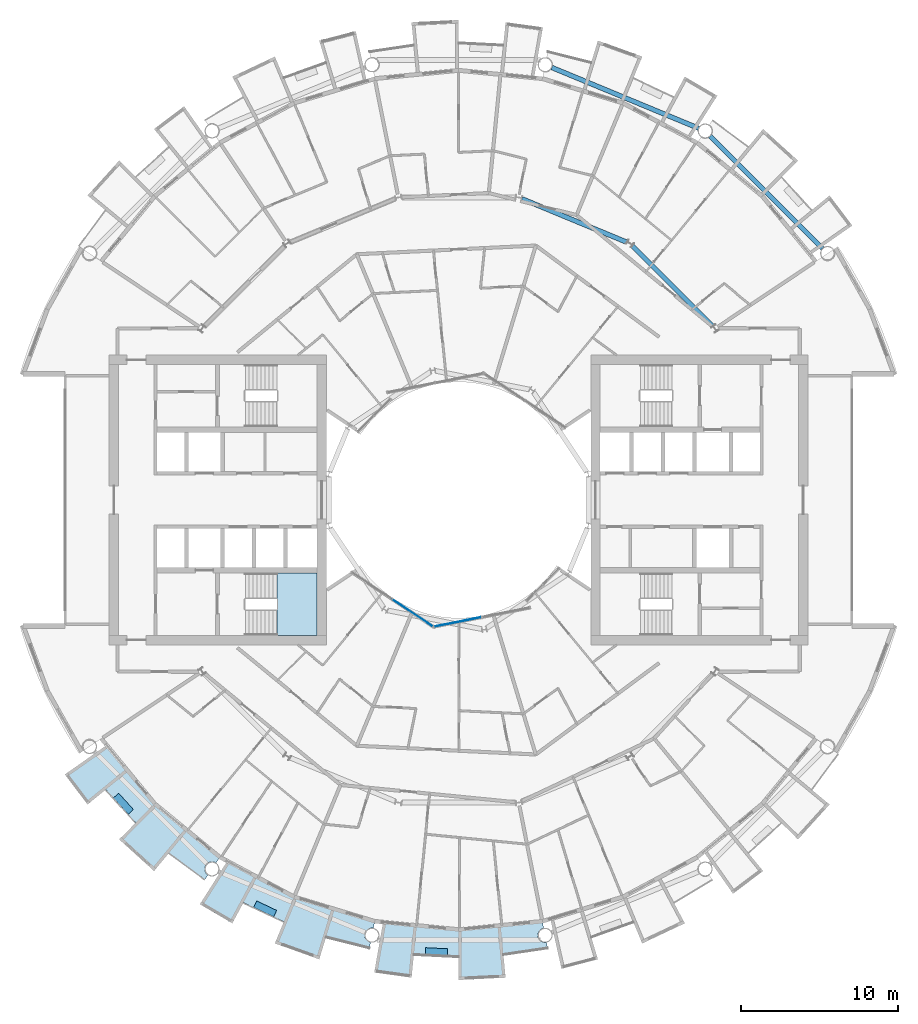
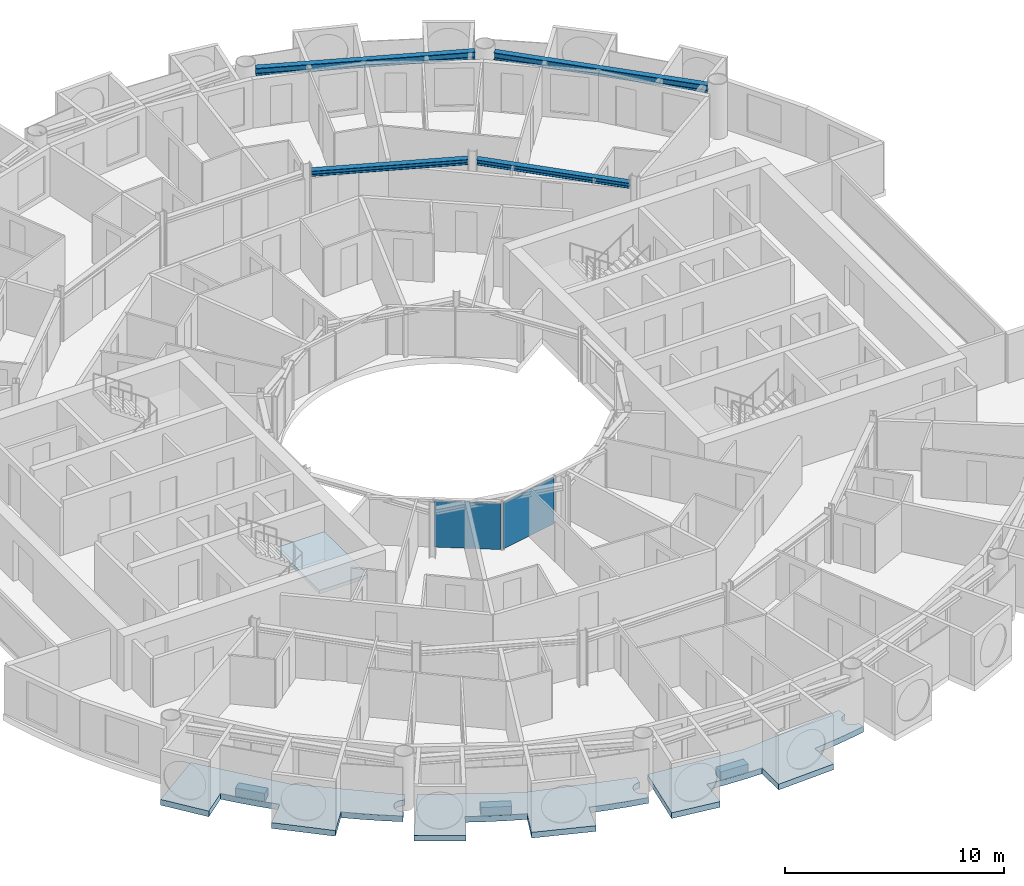
# One storey, part 10 of 27: 7 slabs, 4 beams, 2 plates, 3 elements without a shape of their own.
"""IFC4 building model written with IfcOpenShell, lengths in metres."""

from ifc_helpers import new_model, si_unit, direction, frame, origin, origin_2d, place, context, subcontext, project, spatial, polyline, rectangle, i_section, outline, extrude, material, layer, layer_set, material_profile, profile_set, type_object, element, aggregate, save


model = new_model("IFC4")

# Units and contexts
model_context = context("Model", 3, precision=1e-05, world=origin(), true_north=direction((0.0, 1.0)))
body_context = subcontext(model_context, "Body", "Model", "MODEL_VIEW")
ifc_project = project(units=[si_unit("LENGTHUNIT", "METRE"), si_unit("AREAUNIT", "SQUARE_METRE"), si_unit("VOLUMEUNIT", "CUBIC_METRE"), si_unit("PLANEANGLEUNIT", "RADIAN"), si_unit("MASSUNIT", "GRAM", prefix="KILO")], contexts=[model_context])

# Site, building, storey
site_placement = place(None, origin())
site = spatial("IfcSite", under=ifc_project, at=site_placement, CompositionType="ELEMENT")
building_placement = place(site_placement, origin())
building = spatial("IfcBuilding", under=site, at=building_placement, Name="Maasbend Ring Residences", CompositionType="ELEMENT")
storey_placement = place(building_placement, frame((0.0, 0.0, 114.699951171875)))
storey = spatial("IfcBuildingStorey", under=building, at=storey_placement, Name="L32", CompositionType="ELEMENT", Elevation=114.699951171875)

# Beams
ifc_material_1 = material(Name="Steel S355J2", Category="steel")
ifc_material_profile_1 = material_profile(ifc_material_1, i_section(OverallWidth=0.300048828125, OverallDepth=0.2900390625, WebThickness=0.008544921875, FlangeThickness=0.013916015625, FilletRadius=0.027099609375, at=origin_2d()), Name="HEA 300")
ifc_profile_set_1 = profile_set([ifc_material_profile_1], Name="Steel S355J2")
beam_type_1 = type_object("IfcBeamType", Name="Corridor ring beam HEA 300", PredefinedType="BEAM", material=ifc_profile_set_1)
for number, where, z_axis, x_axis, name in (
    (1, (16.14111328125, 11.044921875, 2.554931640625), (-0.707106781187, 0.707106781187, 0.0), (-0.707106781187, -0.707106781187, 0.0), "Corridor ring beam"),
    (2, (10.685791015625, 16.381103515625, 2.554931640625), (-0.923877693919, 0.382687871089, 0.0), (-0.382687871089, -0.923877693919, 0.0), "Corridor ring beam"),
):
    element("IfcBeam", number, at=place(storey_placement, frame(where, z_axis=z_axis, x_axis=x_axis)), inside=storey, type_object=beam_type_1, Name=name, PredefinedType="BEAM", context=body_context, shape_type="SweptSolid", body=[
        extrude(i_section(OverallWidth=0.300048828125, OverallDepth=0.2900390625, WebThickness=0.008544921875, FlangeThickness=0.013916015625, FilletRadius=0.027099609375, at=origin_2d()), origin(), (0.0, 0.0, 1.0), 7.20703125),
    ])
ifc_material_2 = material(Name="Steel S355J2", Category="steel")
ifc_material_profile_2 = material_profile(ifc_material_2, i_section(OverallWidth=0.300048828125, OverallDepth=0.39990234375, WebThickness=0.013427734375, FlangeThickness=0.02392578125, FilletRadius=0.027099609375, at=origin_2d()), Name="HEB 400")
ifc_profile_set_2 = profile_set([ifc_material_profile_2], Name="Steel S355J2")
beam_type_2 = type_object("IfcBeamType", Name="Spandrel ring beam HEB 400", PredefinedType="SPANDREL", material=ifc_profile_set_2)
for number, where, z_axis, x_axis, name in (
    (3, (23.124267578125, 15.990234375, 2.5), (-0.707106781187, 0.707106781187, 0.0), (-0.707106781187, -0.707106781187, 0.0), "Spandrel ring beam"),
    (4, (15.244873046875, 23.622314453125, 2.5), (-0.92388529709, 0.382669515144, 0.0), (-0.382669515144, -0.92388529709, 0.0), "Spandrel ring beam"),
):
    element("IfcBeam", number, at=place(storey_placement, frame(where, z_axis=z_axis, x_axis=x_axis)), inside=storey, type_object=beam_type_2, Name=name, PredefinedType="SPANDREL", context=body_context, shape_type="SweptSolid", body=[
        extrude(i_section(OverallWidth=0.300048828125, OverallDepth=0.39990234375, WebThickness=0.013427734375, FlangeThickness=0.02392578125, FilletRadius=0.027099609375, at=origin_2d()), origin(), (0.0, 0.0, 1.0), 10.089111328125),
    ])

# Stair, slab
ifc_material_3 = material(Name="Concrete C40/50", Category="concrete")
stair_type = type_object("IfcStairType", Name="CORE STAIR 18 RISERS", PredefinedType="HALF_TURN_STAIR", material=ifc_material_3)
stair_placement = place(storey_placement, origin())
stair = element("IfcStair", 5, at=stair_placement, inside=storey, type_object=stair_type, Name="L32 Exit stair ST-W1", PredefinedType="HALF_TURN_STAIR")
ifc_material_4 = material(Name="Concrete C40/50", Category="concrete")
ifc_layer_1 = layer(ifc_material_4, 0.199951171875)
ifc_layer_set_1 = layer_set([ifc_layer_1], Name="Concrete C40/50")
slab_type_1 = type_object("IfcSlabType", Name="CORE STAIR LANDING 200", PredefinedType="LANDING", material=ifc_layer_set_1)
slab_1_placement = place(storey_placement, frame((0.0, 0.0, 1.324951171875)))
slab_1 = element("IfcSlab", 6, at=slab_1_placement, type_object=slab_type_1, Name="ST-W1 landing 1", PredefinedType="LANDING", context=body_context, shape_type="SweptSolid", body=[
    extrude(outline(polyline([(-11.550048828125, -8.60009765625), (-9.0, -8.60009765625), (-9.0, -4.64990234375), (-11.550048828125, -4.64990234375), (-11.550048828125, -8.60009765625)])), origin(), (0.0, 0.0, 1.0), 0.2001953125),
])
aggregate(stair, [slab_1])

# Curtain wall, plate
ifc_material_5 = material(Name="Aluminium and clear glass", Category="aluminium")
ifc_layer_2 = layer(ifc_material_5, 0.179931640625)
ifc_layer_set_2 = layer_set([ifc_layer_2], Name="CW-W")
curtain_wall_type = type_object("IfcCurtainWallType", Name="CW-W", PredefinedType="NOTDEFINED", material=ifc_layer_set_2)
curtain_wall_1_placement = place(storey_placement, origin())
curtain_wall_1 = element("IfcCurtainWall", 7, at=curtain_wall_1_placement, inside=storey, type_object=curtain_wall_type, Name="Well curtain wall S1", PredefinedType="NOTDEFINED")
ifc_material_6 = material(Name="Glass clear laminated", Category="glass")
ifc_layer_3 = layer(ifc_material_6, 0.031982421875)
ifc_layer_set_3 = layer_set([ifc_layer_3], Name="CWP-W")
plate_type = type_object("IfcPlateType", Name="CWP-W", PredefinedType="CURTAIN_PANEL", material=ifc_layer_set_3)
plate_1_placement = place(storey_placement, frame((-2.922119140625, -7.17578125, 0.0), z_axis=(0.0, 0.0, 1.0), x_axis=(0.831469612303, -0.55557023302, 0.0)))
plate_1 = element("IfcPlate", 8, at=plate_1_placement, type_object=plate_type, Name="Glass panel well face", PredefinedType="CURTAIN_PANEL", context=body_context, shape_type="SweptSolid", body=[
    extrude(rectangle(XDim=3.053955078125, YDim=0.031982421875, at=origin_2d()), origin(), (0.0, 0.0, 1.0), 2.580078125),
])
aggregate(curtain_wall_1, [plate_1])

curtain_wall_2_placement = place(storey_placement, origin())
curtain_wall_2 = element("IfcCurtainWall", 9, at=curtain_wall_2_placement, inside=storey, type_object=curtain_wall_type, Name="Well curtain wall S2", PredefinedType="NOTDEFINED")
plate_2_placement = place(storey_placement, frame((-0.04638671875, -7.747802734375, 0.0), z_axis=(0.0, 0.0, 1.0), x_axis=(0.980785280403, 0.195090322016, 0.0)))
plate_2 = element("IfcPlate", 10, at=plate_2_placement, type_object=plate_type, Name="Glass panel well face", PredefinedType="CURTAIN_PANEL", context=body_context, shape_type="SweptSolid", body=[
    extrude(rectangle(XDim=3.053955078125, YDim=0.031982421875, at=origin_2d()), origin(), (0.0, 0.0, 1.0), 2.580078125),
])
aggregate(curtain_wall_2, [plate_2])

# Slabs
ifc_material_7 = material(Name="Planting with climbing greenery")
ifc_layer_4 = layer(ifc_material_7, 0.449951171875)
ifc_layer_set_4 = layer_set([ifc_layer_4], Name="PLANTER-LG")
slab_type_2 = type_object("IfcSlabType", Name="PLANTER-LG", PredefinedType="USERDEFINED", material=ifc_layer_set_4)
slab_2_placement = place(storey_placement, frame((0.0, 0.0, -0.030029296875)))
element("IfcSlab", 11, at=slab_2_placement, inside=storey, type_object=slab_type_2, Name="Planter with climbing greenery 1", ObjectType="PLANTER", PredefinedType="USERDEFINED", context=body_context, shape_type="SweptSolid", body=[
    extrude(outline(polyline([(-21.931884765625, -18.93310546875), (-20.991943359375, -19.969970703125), (-20.657958984375, -19.66796875), (-21.597900390625, -18.631103515625), (-21.931884765625, -18.93310546875)])), origin(), (0.0, 0.0, 1.0), 0.4501953125),
])
slab_3_placement = place(storey_placement, frame((0.0, 0.0, -0.030029296875)))
element("IfcSlab", 12, at=slab_3_placement, inside=storey, type_object=slab_type_2, Name="Planter with climbing greenery 2", ObjectType="PLANTER", PredefinedType="USERDEFINED", context=body_context, shape_type="SweptSolid", body=[
    extrude(outline(polyline([(-13.01708984375, -25.885009765625), (-11.7509765625, -26.48291015625), (-11.55908203125, -26.076904296875), (-12.824951171875, -25.47802734375), (-13.01708984375, -25.885009765625)])), origin(), (0.0, 0.0, 1.0), 0.4501953125),
])
slab_4_placement = place(storey_placement, frame((0.0, 0.0, -0.030029296875)))
element("IfcSlab", 13, at=slab_4_placement, inside=storey, type_object=slab_type_2, Name="Planter with climbing greenery 3", ObjectType="PLANTER", PredefinedType="USERDEFINED", context=body_context, shape_type="SweptSolid", body=[
    extrude(outline(polyline([(-2.1201171875, -28.89599609375), (-0.721923828125, -28.965087890625), (-0.699951171875, -28.514892578125), (-2.097900390625, -28.446044921875), (-2.1201171875, -28.89599609375)])), origin(), (0.0, 0.0, 1.0), 0.4501953125),
])
ifc_material_8 = material(Name="Concrete C40/50", Category="concrete")
ifc_layer_5 = layer(ifc_material_8, 0.199951171875)
ifc_layer_set_5 = layer_set([ifc_layer_5], Name="Concrete C40/50")
slab_type_3 = type_object("IfcSlabType", Name="SL-LOGGIA", PredefinedType="FLOOR", material=ifc_layer_set_5)
slab_5_placement = place(storey_placement, frame((0.0, 0.0, -0.349853515625)))
element("IfcSlab", 14, at=slab_5_placement, inside=storey, type_object=slab_type_3, Name="Loggia floor 2", PredefinedType="FLOOR", context=body_context, shape_type="SweptSolid", body=[
    extrude(outline(polyline([(-12.806884765625, -23.9609375), (-10.447021484375, -25.221923828125), (-10.447021484375, -25.221923828125), (-10.447021484375, -25.221923828125), (-7.886962890625, -25.9990234375), (-5.325927734375, -26.77490234375), (-5.325927734375, -26.77490234375), (-5.325927734375, -26.77490234375), (-5.412109375, -27.2099609375), (-5.423095703125, -27.2080078125), (-5.43408203125, -27.2060546875), (-5.446044921875, -27.205078125), (-5.45703125, -27.202880859375), (-5.468017578125, -27.201904296875), (-5.47900390625, -27.201904296875), (-5.489990234375, -27.200927734375), (-5.501953125, -27.200927734375), (-5.512939453125, -27.200927734375), (-5.52392578125, -27.201904296875), (-5.534912109375, -27.201904296875), (-5.5458984375, -27.202880859375), (-5.556884765625, -27.205078125), (-5.569091796875, -27.2060546875), (-5.580078125, -27.2080078125), (-5.591064453125, -27.2099609375), (-5.60205078125, -27.2119140625), (-5.613037109375, -27.215087890625), (-5.623046875, -27.218017578125), (-5.634033203125, -27.220947265625), (-5.64501953125, -27.22412109375), (-5.655029296875, -27.22802734375), (-5.666015625, -27.23193359375), (-5.676025390625, -27.236083984375), (-5.68701171875, -27.239990234375), (-5.697021484375, -27.2451171875), (-5.70703125, -27.25), (-5.717041015625, -27.2548828125), (-5.72705078125, -27.260009765625), (-5.736083984375, -27.26611328125), (-5.74609375, -27.27197265625), (-5.7548828125, -27.278076171875), (-5.764892578125, -27.283935546875), (-5.77392578125, -27.291015625), (-5.782958984375, -27.298095703125), (-5.791015625, -27.304931640625), (-5.800048828125, -27.31201171875), (-5.80810546875, -27.319091796875), (-5.81689453125, -27.326904296875), (-5.824951171875, -27.3349609375), (-5.83203125, -27.343017578125), (-5.840087890625, -27.35107421875), (-5.847900390625, -27.360107421875), (-5.85498046875, -27.367919921875), (-5.862060546875, -27.376953125), (-5.868896484375, -27.385986328125), (-5.875, -27.39501953125), (-5.881103515625, -27.404052734375), (-5.887939453125, -27.4140625), (-5.89306640625, -27.423095703125), (-5.89892578125, -27.43310546875), (-5.905029296875, -27.443115234375), (-5.909912109375, -27.452880859375), (-5.9150390625, -27.462890625), (-5.9189453125, -27.472900390625), (-5.924072265625, -27.48291015625), (-5.927978515625, -27.493896484375), (-5.931884765625, -27.50390625), (-5.93505859375, -27.514892578125), (-5.93896484375, -27.52490234375), (-5.94189453125, -27.535888671875), (-5.945068359375, -27.547119140625), (-5.947021484375, -27.55810546875), (-5.949951171875, -27.569091796875), (-5.951904296875, -27.580078125), (-5.9541015625, -27.591064453125), (-5.955078125, -27.60205078125), (-5.9560546875, -27.613037109375), (-5.95703125, -27.6240234375), (-5.9580078125, -27.635986328125), (-5.9580078125, -27.64697265625), (-5.9580078125, -27.657958984375), (-5.9580078125, -27.6689453125), (-5.9580078125, -27.680908203125), (-5.95703125, -27.69189453125), (-5.9560546875, -27.702880859375), (-5.955078125, -27.714111328125), (-5.9541015625, -27.72509765625), (-5.951904296875, -27.736083984375), (-5.949951171875, -27.7470703125), (-5.947021484375, -27.758056640625), (-5.945068359375, -27.76904296875), (-5.94189453125, -27.780029296875), (-5.93896484375, -27.791015625), (-5.93505859375, -27.801025390625), (-5.931884765625, -27.81201171875), (-5.927978515625, -27.822998046875), (-5.924072265625, -27.8330078125), (-5.9189453125, -27.843017578125), (-5.9150390625, -27.85302734375), (-5.909912109375, -27.864013671875), (-5.905029296875, -27.8740234375), (-5.89892578125, -27.883056640625), (-5.89306640625, -27.89306640625), (-5.887939453125, -27.903076171875), (-5.881103515625, -27.912109375), (-5.875, -27.9208984375), (-5.868896484375, -27.929931640625), (-5.862060546875, -27.93896484375), (-5.85498046875, -27.947998046875), (-5.847900390625, -27.95703125), (-5.840087890625, -27.965087890625), (-5.83203125, -27.972900390625), (-5.824951171875, -27.98095703125), (-5.81689453125, -27.989013671875), (-5.80810546875, -27.9970703125), (-5.800048828125, -28.00390625), (-5.791015625, -28.010986328125), (-5.782958984375, -28.01806640625), (-5.77392578125, -28.02490234375), (-5.764892578125, -28.031982421875), (-5.7548828125, -28.0380859375), (-5.74609375, -28.0439453125), (-5.736083984375, -28.050048828125), (-5.72705078125, -28.055908203125), (-5.717041015625, -28.06103515625), (-5.70703125, -28.06591796875), (-5.697021484375, -28.071044921875), (-5.68701171875, -28.075927734375), (-5.676025390625, -28.080078125), (-5.666015625, -28.083984375), (-5.655029296875, -28.087890625), (-5.64501953125, -28.092041015625), (-5.634033203125, -28.094970703125), (-5.623046875, -28.09912109375), (-5.613037109375, -28.10107421875), (-5.60205078125, -28.10400390625), (-5.591064453125, -28.10595703125), (-5.657958984375, -28.443115234375), (-5.657958984375, -28.443115234375), (-5.657958984375, -28.443115234375), (-6.5849609375, -28.241943359375), (-6.5849609375, -28.241943359375), (-7.506103515625, -28.011962890625), (-7.506103515625, -28.011962890625), (-8.41796875, -27.7509765625), (-8.41796875, -27.7509765625), (-8.41796875, -27.7509765625), (-8.41796875, -27.7509765625), (-8.41796875, -27.7509765625), (-8.41796875, -27.7509765625), (-8.41796875, -27.7509765625), (-8.41796875, -27.7509765625), (-8.41796875, -27.7509765625), (-8.41796875, -27.7509765625), (-8.41796875, -27.751953125), (-8.41796875, -27.751953125), (-8.41796875, -27.751953125), (-8.41796875, -27.751953125), (-8.41796875, -27.751953125), (-8.41796875, -27.751953125), (-8.41796875, -27.751953125), (-8.85400390625, -29.18701171875), (-8.85400390625, -29.18701171875), (-8.85400390625, -29.18701171875), (-11.672119140625, -28.177978515625), (-11.672119140625, -28.177978515625), (-11.672119140625, -28.177978515625), (-11.097900390625, -26.79296875), (-11.097900390625, -26.79296875), (-11.097900390625, -26.79296875), (-11.097900390625, -26.79296875), (-11.097900390625, -26.79296875), (-11.097900390625, -26.79296875), (-11.097900390625, -26.79296875), (-11.097900390625, -26.79296875), (-11.097900390625, -26.79296875), (-11.097900390625, -26.79296875), (-11.097900390625, -26.7919921875), (-11.097900390625, -26.7919921875), (-11.097900390625, -26.7919921875), (-11.097900390625, -26.7919921875), (-11.097900390625, -26.7919921875), (-11.097900390625, -26.7919921875), (-11.097900390625, -26.7919921875), (-11.968994140625, -26.4150390625), (-11.968994140625, -26.4150390625), (-12.825927734375, -26.009033203125), (-12.825927734375, -26.009033203125), (-13.669921875, -25.575927734375), (-13.669921875, -25.575927734375), (-13.669921875, -25.575927734375), (-13.669921875, -25.575927734375), (-13.669921875, -25.575927734375), (-13.669921875, -25.575927734375), (-13.669921875, -25.575927734375), (-13.669921875, -25.575927734375), (-13.669921875, -25.575927734375), (-13.669921875, -25.575927734375), (-13.6708984375, -25.575927734375), (-13.6708984375, -25.575927734375), (-13.6708984375, -25.575927734375), (-13.6708984375, -25.575927734375), (-13.6708984375, -25.575927734375), (-13.6708984375, -25.575927734375), (-13.6708984375, -25.575927734375), (-14.3779296875, -26.89892578125), (-14.3779296875, -26.89892578125), (-14.3779296875, -26.89892578125), (-16.44091796875, -25.68994140625), (-16.44091796875, -25.68994140625), (-16.44091796875, -25.68994140625), (-14.68994140625, -22.9541015625), (-14.68994140625, -22.9541015625), (-14.68994140625, -22.9541015625), (-12.806884765625, -23.9609375)])), origin(), (0.0, 0.0, 1.0), 0.31982421875),
])
slab_6_placement = place(storey_placement, frame((0.0, 0.0, -0.349853515625)))
element("IfcSlab", 15, at=slab_6_placement, inside=storey, type_object=slab_type_3, Name="Loggia floor 3", PredefinedType="FLOOR", context=body_context, shape_type="SweptSolid", body=[
    extrude(outline(polyline([(-2.6630859375, -27.0380859375), (0.0, -27.300048828125), (0.0, -27.300048828125), (0.0, -27.300048828125), (2.6630859375, -27.0380859375), (5.325927734375, -26.77490234375), (5.325927734375, -26.77490234375), (5.325927734375, -26.77490234375), (5.412109375, -27.2099609375), (5.412109375, -27.2099609375), (5.40087890625, -27.2119140625), (5.389892578125, -27.215087890625), (5.3798828125, -27.218017578125), (5.368896484375, -27.220947265625), (5.35791015625, -27.22412109375), (5.347900390625, -27.22802734375), (5.3369140625, -27.23193359375), (5.326904296875, -27.236083984375), (5.31591796875, -27.239990234375), (5.305908203125, -27.2451171875), (5.2958984375, -27.25), (5.285888671875, -27.2548828125), (5.27587890625, -27.260009765625), (5.26708984375, -27.26611328125), (5.257080078125, -27.27197265625), (5.248046875, -27.278076171875), (5.238037109375, -27.283935546875), (5.22900390625, -27.291015625), (5.219970703125, -27.298095703125), (5.2119140625, -27.304931640625), (5.202880859375, -27.31201171875), (5.195068359375, -27.319091796875), (5.18603515625, -27.326904296875), (5.177978515625, -27.3349609375), (5.1708984375, -27.343017578125), (5.1630859375, -27.35107421875), (5.155029296875, -27.360107421875), (5.14794921875, -27.367919921875), (5.14111328125, -27.376953125), (5.134033203125, -27.385986328125), (5.1279296875, -27.39501953125), (5.1220703125, -27.404052734375), (5.114990234375, -27.4140625), (5.110107421875, -27.423095703125), (5.10400390625, -27.43310546875), (5.097900390625, -27.443115234375), (5.093017578125, -27.452880859375), (5.087890625, -27.462890625), (5.083984375, -27.472900390625), (5.0791015625, -27.48291015625), (5.074951171875, -27.493896484375), (5.071044921875, -27.50390625), (5.068115234375, -27.514892578125), (5.06396484375, -27.52490234375), (5.06103515625, -27.535888671875), (5.05810546875, -27.547119140625), (5.055908203125, -27.55810546875), (5.052978515625, -27.569091796875), (5.051025390625, -27.580078125), (5.049072265625, -27.591064453125), (5.048095703125, -27.60205078125), (5.047119140625, -27.613037109375), (5.0458984375, -27.6240234375), (5.044921875, -27.635986328125), (5.044921875, -27.64697265625), (5.044921875, -27.657958984375), (5.044921875, -27.6689453125), (5.044921875, -27.680908203125), (5.0458984375, -27.69189453125), (5.047119140625, -27.702880859375), (5.048095703125, -27.714111328125), (5.049072265625, -27.72509765625), (5.051025390625, -27.736083984375), (5.052978515625, -27.7470703125), (5.055908203125, -27.758056640625), (5.05810546875, -27.76904296875), (5.06103515625, -27.780029296875), (5.06396484375, -27.791015625), (5.068115234375, -27.801025390625), (5.071044921875, -27.81201171875), (5.074951171875, -27.822998046875), (5.0791015625, -27.8330078125), (5.083984375, -27.843017578125), (5.087890625, -27.85302734375), (5.093017578125, -27.864013671875), (5.097900390625, -27.8740234375), (5.10400390625, -27.883056640625), (5.110107421875, -27.89306640625), (5.114990234375, -27.903076171875), (5.1220703125, -27.912109375), (5.1279296875, -27.9208984375), (5.134033203125, -27.929931640625), (5.14111328125, -27.93896484375), (5.14794921875, -27.947998046875), (5.155029296875, -27.95703125), (5.1630859375, -27.965087890625), (5.1708984375, -27.972900390625), (5.177978515625, -27.98095703125), (5.18603515625, -27.989013671875), (5.195068359375, -27.9970703125), (5.202880859375, -28.00390625), (5.2119140625, -28.010986328125), (5.219970703125, -28.01806640625), (5.22900390625, -28.02490234375), (5.238037109375, -28.031982421875), (5.248046875, -28.0380859375), (5.257080078125, -28.0439453125), (5.26708984375, -28.050048828125), (5.27587890625, -28.055908203125), (5.285888671875, -28.06103515625), (5.2958984375, -28.06591796875), (5.305908203125, -28.071044921875), (5.31591796875, -28.075927734375), (5.326904296875, -28.080078125), (5.3369140625, -28.083984375), (5.347900390625, -28.087890625), (5.35791015625, -28.092041015625), (5.368896484375, -28.094970703125), (5.3798828125, -28.09912109375), (5.389892578125, -28.10107421875), (5.40087890625, -28.10400390625), (5.412109375, -28.10595703125), (5.423095703125, -28.10791015625), (5.43408203125, -28.110107421875), (5.446044921875, -28.112060546875), (5.45703125, -28.113037109375), (5.468017578125, -28.114013671875), (5.47900390625, -28.114990234375), (5.489990234375, -28.114990234375), (5.501953125, -28.114990234375), (5.512939453125, -28.114990234375), (5.52392578125, -28.114990234375), (5.534912109375, -28.114013671875), (5.5458984375, -28.113037109375), (5.556884765625, -28.112060546875), (5.569091796875, -28.110107421875), (5.580078125, -28.10791015625), (5.591064453125, -28.10595703125), (5.591064453125, -28.10595703125), (5.657958984375, -28.443115234375), (5.657958984375, -28.443115234375), (5.657958984375, -28.443115234375), (4.72412109375, -28.613037109375), (4.72412109375, -28.613037109375), (3.784912109375, -28.751953125), (3.784912109375, -28.751953125), (2.843017578125, -28.860107421875), (2.843017578125, -28.860107421875), (2.843017578125, -28.860107421875), (2.843017578125, -28.860107421875), (2.843017578125, -28.860107421875), (2.843017578125, -28.860107421875), (2.843017578125, -28.860107421875), (2.843017578125, -28.860107421875), (2.843017578125, -28.860107421875), (2.843017578125, -28.861083984375), (2.843017578125, -28.861083984375), (2.843017578125, -28.861083984375), (2.843017578125, -28.861083984375), (2.843017578125, -28.861083984375), (2.843017578125, -28.861083984375), (2.843017578125, -28.861083984375), (2.843017578125, -28.861083984375), (2.989990234375, -30.35302734375), (2.989990234375, -30.35302734375), (2.989990234375, -30.35302734375), (0.0, -30.5), (0.0, -30.5), (0.0, -30.5), (0.0, -29.0), (0.0, -29.0), (0.0, -29.0), (0.0, -29.0), (0.0, -29.0), (0.0, -29.0), (0.0, -29.0), (0.0, -29.0), (0.0, -29.0), (0.0, -29.0), (0.0, -29.0), (0.0, -29.0), (0.0, -29.0), (0.0, -29.0), (0.0, -29.0), (0.0, -29.0), (0.0, -29.0), (-0.948974609375, -28.98388671875), (-0.948974609375, -28.98388671875), (-1.89697265625, -28.93798828125), (-1.89697265625, -28.93798828125), (-2.842041015625, -28.860107421875), (-2.842041015625, -28.860107421875), (-2.842041015625, -28.860107421875), (-2.842041015625, -28.860107421875), (-2.842041015625, -28.860107421875), (-2.842041015625, -28.860107421875), (-2.842041015625, -28.860107421875), (-2.842041015625, -28.860107421875), (-2.842041015625, -28.861083984375), (-2.842041015625, -28.861083984375), (-2.842041015625, -28.861083984375), (-2.842041015625, -28.861083984375), (-2.842041015625, -28.861083984375), (-2.843017578125, -28.861083984375), (-2.843017578125, -28.861083984375), (-2.843017578125, -28.861083984375), (-2.843017578125, -28.861083984375), (-2.989990234375, -30.35302734375), (-2.989990234375, -30.35302734375), (-2.989990234375, -30.35302734375), (-5.35791015625, -30.02587890625), (-5.35791015625, -30.02587890625), (-5.35791015625, -30.02587890625), (-4.7880859375, -26.827880859375), (-4.7880859375, -26.827880859375), (-4.7880859375, -26.827880859375), (-2.6630859375, -27.0380859375)])), origin(), (0.0, 0.0, 1.0), 0.31982421875),
])
slab_7_placement = place(storey_placement, frame((0.0, 0.0, -0.349853515625)))
element("IfcSlab", 16, at=slab_7_placement, inside=storey, type_object=slab_type_3, Name="Loggia floor 5", PredefinedType="FLOOR", context=body_context, shape_type="SweptSolid", body=[
    extrude(outline(polyline([(-21.001953125, -17.236083984375), (-19.303955078125, -19.303955078125), (-19.303955078125, -19.303955078125), (-19.303955078125, -19.303955078125), (-17.236083984375, -21.001953125), (-15.1669921875, -22.698974609375), (-15.1669921875, -22.698974609375), (-15.1669921875, -22.698974609375), (-15.4130859375, -23.06689453125), (-15.4130859375, -23.06689453125), (-15.423095703125, -23.06103515625), (-15.431884765625, -23.054931640625), (-15.44189453125, -23.050048828125), (-15.451904296875, -23.0439453125), (-15.4619140625, -23.0390625), (-15.471923828125, -23.033935546875), (-15.48193359375, -23.030029296875), (-15.491943359375, -23.02490234375), (-15.5029296875, -23.02099609375), (-15.512939453125, -23.01708984375), (-15.52392578125, -23.012939453125), (-15.533935546875, -23.010009765625), (-15.544921875, -23.007080078125), (-15.555908203125, -23.00390625), (-15.56689453125, -23.001953125), (-15.577880859375, -22.9990234375), (-15.589111328125, -22.9970703125), (-15.60009765625, -22.9951171875), (-15.611083984375, -22.993896484375), (-15.6220703125, -22.992919921875), (-15.633056640625, -22.991943359375), (-15.64501953125, -22.990966796875), (-15.656005859375, -22.990966796875), (-15.6669921875, -22.989990234375), (-15.677978515625, -22.990966796875), (-15.68994140625, -22.990966796875), (-15.700927734375, -22.991943359375), (-15.7119140625, -22.992919921875), (-15.722900390625, -22.993896484375), (-15.73388671875, -22.9951171875), (-15.7451171875, -22.9970703125), (-15.756103515625, -22.9990234375), (-15.76708984375, -23.001953125), (-15.778076171875, -23.00390625), (-15.7890625, -23.007080078125), (-15.800048828125, -23.010009765625), (-15.81005859375, -23.012939453125), (-15.821044921875, -23.01708984375), (-15.83203125, -23.02099609375), (-15.842041015625, -23.02490234375), (-15.85205078125, -23.030029296875), (-15.862060546875, -23.033935546875), (-15.873046875, -23.0390625), (-15.883056640625, -23.0439453125), (-15.89208984375, -23.050048828125), (-15.902099609375, -23.054931640625), (-15.912109375, -23.06103515625), (-15.9208984375, -23.06689453125), (-15.929931640625, -23.073974609375), (-15.93896484375, -23.080078125), (-15.947998046875, -23.0869140625), (-15.95703125, -23.093994140625), (-15.966064453125, -23.10107421875), (-15.97412109375, -23.10888671875), (-15.98193359375, -23.115966796875), (-15.989990234375, -23.1240234375), (-15.998046875, -23.132080078125), (-16.006103515625, -23.139892578125), (-16.012939453125, -23.14892578125), (-16.02001953125, -23.156982421875), (-16.027099609375, -23.166015625), (-16.033935546875, -23.175048828125), (-16.041015625, -23.18408203125), (-16.047119140625, -23.194091796875), (-16.052978515625, -23.202880859375), (-16.05908203125, -23.2119140625), (-16.06494140625, -23.221923828125), (-16.070068359375, -23.23193359375), (-16.074951171875, -23.241943359375), (-16.080078125, -23.251953125), (-16.0849609375, -23.261962890625), (-16.089111328125, -23.27294921875), (-16.093017578125, -23.282958984375), (-16.096923828125, -23.29296875), (-16.10107421875, -23.303955078125), (-16.10400390625, -23.31494140625), (-16.10791015625, -23.325927734375), (-16.110107421875, -23.3359375), (-16.113037109375, -23.346923828125), (-16.114990234375, -23.35791015625), (-16.116943359375, -23.368896484375), (-16.118896484375, -23.3798828125), (-16.12109375, -23.39111328125), (-16.1220703125, -23.403076171875), (-16.123046875, -23.4140625), (-16.1240234375, -23.425048828125), (-16.1240234375, -23.43603515625), (-16.1240234375, -23.447021484375), (-16.1240234375, -23.458984375), (-16.1240234375, -23.469970703125), (-16.123046875, -23.48095703125), (-16.1220703125, -23.491943359375), (-16.12109375, -23.5029296875), (-16.118896484375, -23.513916015625), (-16.116943359375, -23.52587890625), (-16.114990234375, -23.537109375), (-16.113037109375, -23.548095703125), (-16.110107421875, -23.55810546875), (-16.10791015625, -23.569091796875), (-16.10400390625, -23.580078125), (-16.10107421875, -23.591064453125), (-16.096923828125, -23.60107421875), (-16.093017578125, -23.612060546875), (-16.089111328125, -23.6220703125), (-16.0849609375, -23.633056640625), (-16.080078125, -23.64306640625), (-16.074951171875, -23.653076171875), (-16.070068359375, -23.6630859375), (-16.06494140625, -23.673095703125), (-16.05908203125, -23.681884765625), (-16.052978515625, -23.69189453125), (-16.047119140625, -23.700927734375), (-16.041015625, -23.7109375), (-16.033935546875, -23.719970703125), (-16.027099609375, -23.72900390625), (-16.02001953125, -23.737060546875), (-16.012939453125, -23.74609375), (-16.006103515625, -23.75390625), (-15.998046875, -23.762939453125), (-15.989990234375, -23.77099609375), (-15.98193359375, -23.778076171875), (-15.97412109375, -23.785888671875), (-15.966064453125, -23.79296875), (-15.95703125, -23.801025390625), (-15.947998046875, -23.80810546875), (-15.93896484375, -23.81396484375), (-15.929931640625, -23.821044921875), (-15.9208984375, -23.826904296875), (-15.9208984375, -23.826904296875), (-16.112060546875, -24.113037109375), (-16.112060546875, -24.113037109375), (-16.112060546875, -24.113037109375), (-16.89208984375, -23.572998046875), (-16.89208984375, -23.572998046875), (-17.654052734375, -23.007080078125), (-17.654052734375, -23.007080078125), (-18.39697265625, -22.41796875), (-18.39697265625, -22.41796875), (-18.39697265625, -22.41796875), (-18.39697265625, -22.41796875), (-18.39697265625, -22.41796875), (-18.39697265625, -22.41796875), (-18.39697265625, -22.41796875), (-18.39697265625, -22.41796875), (-18.39697265625, -22.41796875), (-18.39697265625, -22.41796875), (-18.39697265625, -22.41796875), (-18.39794921875, -22.41796875), (-18.39794921875, -22.41796875), (-18.39794921875, -22.41796875), (-18.39794921875, -22.41796875), (-18.39794921875, -22.41796875), (-18.39794921875, -22.41796875), (-19.34912109375, -23.576904296875), (-19.34912109375, -23.576904296875), (-19.34912109375, -23.576904296875), (-21.56689453125, -21.56689453125), (-21.56689453125, -21.56689453125), (-21.56689453125, -21.56689453125), (-20.506103515625, -20.506103515625), (-20.506103515625, -20.506103515625), (-20.506103515625, -20.506103515625), (-20.506103515625, -20.506103515625), (-20.506103515625, -20.506103515625), (-20.506103515625, -20.506103515625), (-20.506103515625, -20.506103515625), (-20.506103515625, -20.506103515625), (-20.506103515625, -20.506103515625), (-20.506103515625, -20.506103515625), (-20.506103515625, -20.506103515625), (-20.506103515625, -20.506103515625), (-20.506103515625, -20.506103515625), (-20.506103515625, -20.506103515625), (-20.506103515625, -20.506103515625), (-20.506103515625, -20.506103515625), (-20.506103515625, -20.506103515625), (-21.166015625, -19.823974609375), (-21.166015625, -19.823974609375), (-21.802978515625, -19.12109375), (-21.802978515625, -19.12109375), (-22.4169921875, -18.39794921875), (-22.4169921875, -18.39794921875), (-22.4169921875, -18.39794921875), (-22.4169921875, -18.39794921875), (-22.4169921875, -18.39794921875), (-22.4169921875, -18.39794921875), (-22.4169921875, -18.39794921875), (-22.4169921875, -18.39794921875), (-22.4169921875, -18.39794921875), (-22.4169921875, -18.39794921875), (-22.4169921875, -18.39794921875), (-22.4169921875, -18.39794921875), (-22.41796875, -18.39794921875), (-22.41796875, -18.39794921875), (-22.41796875, -18.39794921875), (-22.41796875, -18.39794921875), (-22.41796875, -18.39794921875), (-23.576904296875, -19.34912109375), (-23.576904296875, -19.34912109375), (-23.576904296875, -19.34912109375), (-25.02001953125, -17.44189453125), (-25.02001953125, -17.44189453125), (-25.02001953125, -17.44189453125), (-22.35595703125, -15.5849609375), (-22.35595703125, -15.5849609375), (-22.35595703125, -15.5849609375), (-21.001953125, -17.236083984375)])), origin(), (0.0, 0.0, 1.0), 0.31982421875),
])

save(model, "model.ifc")
